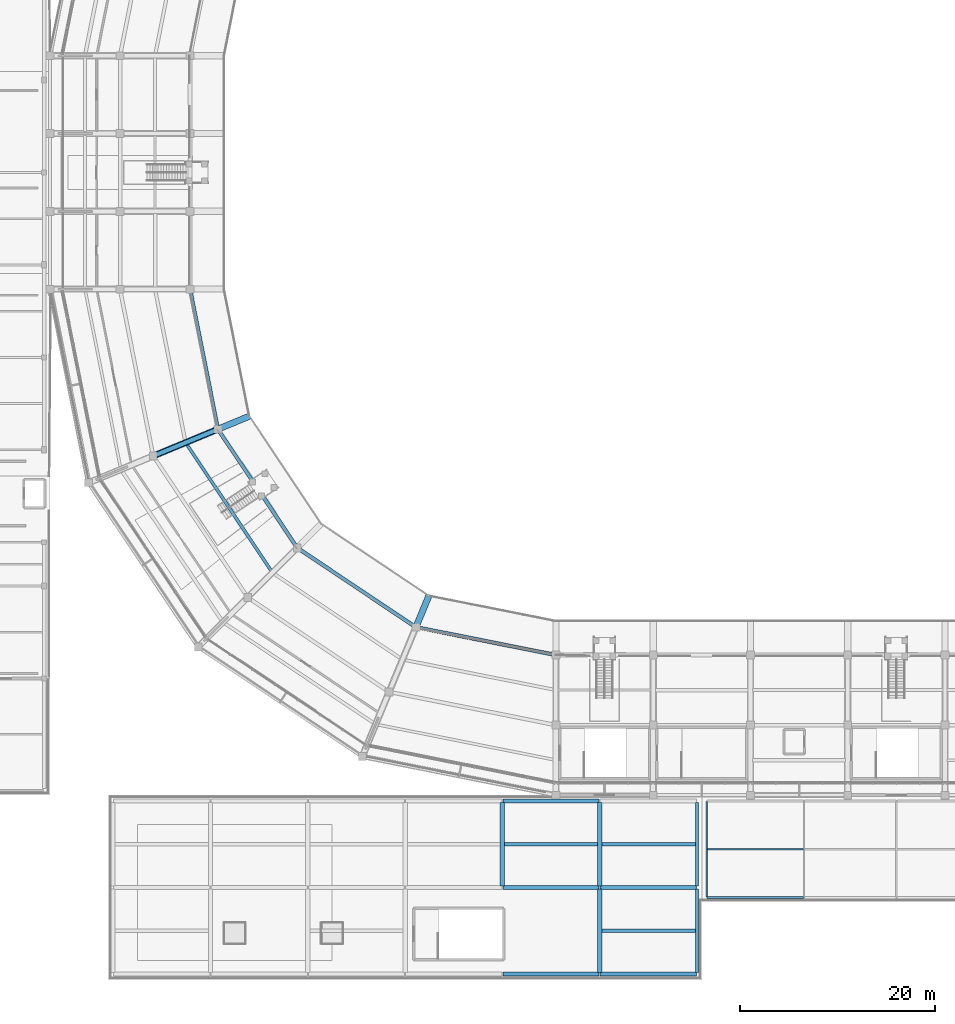
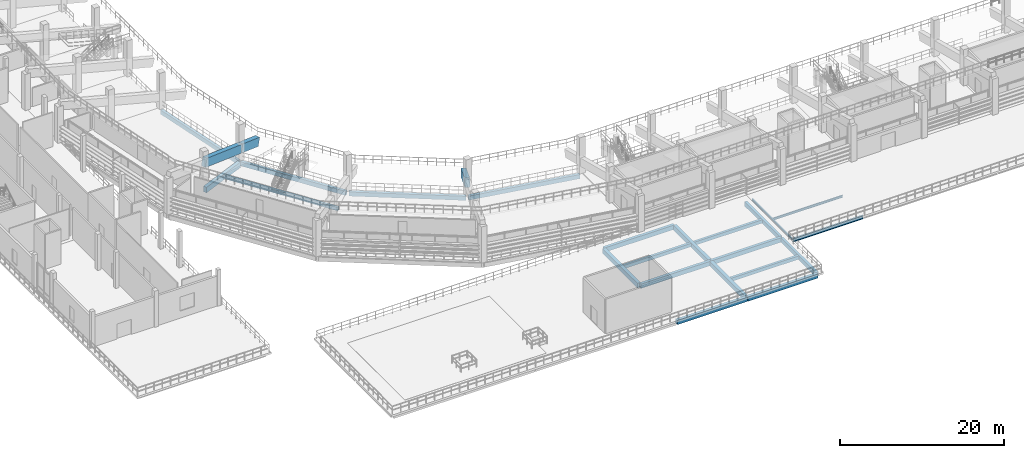
# One storey, part 12 of 96: 25 beams.
"""IFC4 building model written with IfcOpenShell, lengths in metres."""

from ifc_helpers import new_model, si_unit, direction, frame, origin, origin_2d, place, context, subcontext, project, spatial, rectangle, i_section, extrude, material, material_profile, profile_set, type_object, element, save


model = new_model("IFC4")

# Units and contexts
model_context = context("Model", 3, precision=1e-05, world=origin(), true_north=direction((0.0, 1.0)))
body_context = subcontext(model_context, "Body", "Model", "MODEL_VIEW")
ifc_project = project(units=[si_unit("LENGTHUNIT", "METRE"), si_unit("AREAUNIT", "SQUARE_METRE"), si_unit("VOLUMEUNIT", "CUBIC_METRE"), si_unit("PLANEANGLEUNIT", "RADIAN"), si_unit("MASSUNIT", "GRAM", prefix="KILO")], contexts=[model_context])

# Site, building, storey
site_placement = place(None, origin())
site = spatial("IfcSite", under=ifc_project, at=site_placement, CompositionType="ELEMENT")
building_placement = place(site_placement, origin())
building = spatial("IfcBuilding", under=site, at=building_placement, Name="Candeia Ridge Stadium", CompositionType="ELEMENT")
storey_placement = place(building_placement, frame((0.0, 0.0, 21.60009765625)))
storey = spatial("IfcBuildingStorey", under=building, at=storey_placement, Name="L04", CompositionType="ELEMENT", Elevation=21.60009765625)

# Beams
ifc_material_1 = material(Name="Steel ASTM A572 Grade 50", Category="steel")
ifc_material_profile_1 = material_profile(ifc_material_1, i_section(OverallWidth=0.14794921875, OverallDepth=0.26611328125, WebThickness=0.007568359375, FlangeThickness=0.012939453125, FilletRadius=0.010986328125, at=origin_2d()), Name="W250x44.8", Category="steel")
ifc_profile_set_1 = profile_set([ifc_material_profile_1], Name="Steel ASTM A572 Grade 50")
beam_type_1 = type_object("IfcBeamType", Name="Canopy Edge Spandrel W250x44.8", PredefinedType="SPANDREL", material=ifc_profile_set_1)
beam_1_placement = place(storey_placement, frame((86.5, 8.550048828125, -0.4130859375), z_axis=(0.0, 1.0, 0.0), x_axis=(-1.0, 0.0, 0.0)))
element("IfcBeam", 1, at=beam_1_placement, inside=storey, type_object=beam_type_1, Name="Structural girder BM-L04-2528", PredefinedType="SPANDREL", context=body_context, shape_type="SweptSolid", body=[
    extrude(i_section(OverallWidth=0.14794921875, OverallDepth=0.26611328125, WebThickness=0.007568359375, FlangeThickness=0.012939453125, FilletRadius=0.010986328125, at=origin_2d()), origin(), (0.0, 0.0, 1.0), 9.800048828125),
])
ifc_material_2 = material(Name="Concrete C40/50", Category="concrete")
ifc_material_profile_2 = material_profile(ifc_material_2, rectangle(XDim=0.320068359375, YDim=0.52001953125, at=origin_2d()), Name="RC320x520", Category="concrete")
ifc_profile_set_2 = profile_set([ifc_material_profile_2], Name="Concrete C40/50")
beam_type_2 = type_object("IfcBeamType", Name="Floor Joist RC320x520", PredefinedType="JOIST", material=ifc_profile_set_2)
beam_2_placement = place(storey_placement, frame((33.0595703125, 55.048828125, -0.52001953125), z_axis=(0.555568527312, -0.831470752017, 0.0), x_axis=(0.831470752017, 0.555568527312, 0.0)))
element("IfcBeam", 2, at=beam_2_placement, inside=storey, type_object=beam_type_2, Name="Concourse secondary joist BM-L04-0866", PredefinedType="JOIST", context=body_context, shape_type="SweptSolid", body=[
    extrude(rectangle(XDim=0.320068359375, YDim=0.52001953125, at=origin_2d()), origin(), (0.0, 0.0, 1.0), 15.63134765625),
])
ifc_material_profile_3 = material_profile(ifc_material_2, rectangle(XDim=0.35009765625, YDim=0.5, at=origin_2d()), Name="RC350x500", Category="concrete")
ifc_profile_set_3 = profile_set([ifc_material_profile_3], Name="Concrete C40/50")
beam_type_3 = type_object("IfcBeamType", Name="Floor Joist RC350x500", PredefinedType="JOIST", material=ifc_profile_set_3)
beam_3_placement = place(storey_placement, frame((65.724609375, 13.949951171875, -0.530029296875), z_axis=(1.0, 0.0, 0.0), x_axis=(0.0, 1.0, 0.0)))
element("IfcBeam", 3, at=beam_3_placement, inside=storey, type_object=beam_type_3, Name="Wing secondary joist BM-L04-2481", PredefinedType="JOIST", context=body_context, shape_type="SweptSolid", body=[
    extrude(rectangle(XDim=0.35009765625, YDim=0.5, at=origin_2d()), origin(), (0.0, 0.0, 1.0), 9.55078125),
])
for number, where, z_axis, x_axis, name in (
    (4, (75.724609375, 5.050048828125, -0.530029296875), (1.0, 0.0, 0.0), (0.0, 1.0, 0.0), "Wing secondary joist BM-L04-2484"),
    (5, (75.724609375, 13.949951171875, -0.530029296875), (1.0, 0.0, 0.0), (0.0, 1.0, 0.0), "Wing secondary joist BM-L04-2486"),
):
    element("IfcBeam", number, at=place(storey_placement, frame(where, z_axis=z_axis, x_axis=x_axis)), inside=storey, type_object=beam_type_3, Name=name, PredefinedType="JOIST", context=body_context, shape_type="SweptSolid", body=[
        extrude(rectangle(XDim=0.35009765625, YDim=0.5, at=origin_2d()), origin(), (0.0, 0.0, 1.0), 9.600830078125),
    ])
ifc_material_profile_4 = material_profile(ifc_material_2, rectangle(XDim=0.3798828125, YDim=0.6201171875, at=origin_2d()), Name="RC380x620", Category="concrete")
ifc_profile_set_4 = profile_set([ifc_material_profile_4], Name="Concrete C40/50")
beam_type_4 = type_object("IfcBeamType", Name="Frame Girder RC380x620", PredefinedType="BEAM", material=ifc_profile_set_4)
for number, where, z_axis, x_axis, name in (
    (6, (33.43115234375, 70.843017578125, -0.570068359375), (0.195098555341, -0.980783642657, 0.0), (0.980783642657, 0.195098555341, 0.0), "Bowl inner ring girder BM-L04-0858"),
    (7, (36.35107421875, 56.47802734375, -0.570068359375), (0.55557537569, -0.831466176057, 0.0), (0.831466176057, 0.55557537569, 0.0), "Bowl inner ring girder BM-L04-0863"),
    (8, (44.5458984375, 44.323974609375, -0.570068359375), (0.831466176057, -0.55557537569, 0.0), (0.55557537569, 0.831466176057, 0.0), "Bowl inner ring girder BM-L04-0868"),
    (9, (56.76806640625, 36.23095703125, -0.570068359375), (0.980783642657, -0.195098555341, 0.0), (0.195098555341, 0.980783642657, 0.0), "Bowl inner ring girder BM-L04-0873"),
):
    element("IfcBeam", number, at=place(storey_placement, frame(where, z_axis=z_axis, x_axis=x_axis)), inside=storey, type_object=beam_type_4, Name=name, PredefinedType="BEAM", context=body_context, shape_type="SweptSolid", body=[
        extrude(rectangle(XDim=0.3798828125, YDim=0.6201171875, at=origin_2d()), origin(), (0.0, 0.0, 1.0), 14.350830078125),
    ])
ifc_material_profile_5 = material_profile(ifc_material_2, rectangle(XDim=0.449951171875, YDim=0.699951171875, at=origin_2d()), Name="RC450x700", Category="concrete")
ifc_profile_set_5 = profile_set([ifc_material_profile_5], Name="Concrete C40/50")
beam_type_5 = type_object("IfcBeamType", Name="Frame Girder RC450x700", PredefinedType="BEAM", material=ifc_profile_set_5)
for number, where, z_axis, x_axis, name in (
    (10, (65.5, 9.659912109375, -0.630126953125), (0.0, 1.0, 0.0), (-1.0, 0.0, 0.0), "Structural girder BM-L04-2456"),
    (11, (75.5, 0.760009765625, -0.630126953125), (0.0, 1.0, 0.0), (-1.0, 0.0, 0.0), "Structural girder BM-L04-2457"),
    (12, (75.5, 9.659912109375, -0.630126953125), (0.0, 1.0, 0.0), (-1.0, 0.0, 0.0), "Structural girder BM-L04-2458"),
):
    element("IfcBeam", number, at=place(storey_placement, frame(where, z_axis=z_axis, x_axis=x_axis)), inside=storey, type_object=beam_type_5, Name=name, PredefinedType="BEAM", context=body_context, shape_type="SweptSolid", body=[
        extrude(rectangle(XDim=0.449951171875, YDim=0.699951171875, at=origin_2d()), origin(), (0.0, 0.0, 1.0), 8.580078125),
    ])
ifc_material_3 = material(Name="Concrete C45/55", Category="concrete")
ifc_material_profile_6 = material_profile(ifc_material_3, rectangle(XDim=0.47998046875, YDim=0.820068359375, at=origin_2d()), Name="RC480x820", Category="concrete")
ifc_profile_set_6 = profile_set([ifc_material_profile_6], Name="Concrete C45/55")
beam_type_6 = type_object("IfcBeamType", Name="Frame Girder RC480x820", PredefinedType="BEAM", material=ifc_profile_set_6)
beam_4_placement = place(storey_placement, frame((36.1142578125, 56.5498046875, -0.670166015625), z_axis=(-0.923880161031, -0.382681914982, 0.0), x_axis=(0.382681914982, -0.923880161031, 0.0)))
element("IfcBeam", 13, at=beam_4_placement, inside=storey, type_object=beam_type_6, Name="Bowl radial girder BM-L04-0751", PredefinedType="BEAM", context=body_context, shape_type="SweptSolid", body=[
    extrude(rectangle(XDim=0.47998046875, YDim=0.820068359375, at=origin_2d()), origin(), (0.0, 0.0, 1.0), 6.8798828125),
])
ifc_material_profile_7 = material_profile(ifc_material_1, i_section(OverallWidth=0.208984375, OverallDepth=0.532958984375, WebThickness=0.01025390625, FlangeThickness=0.015625, FilletRadius=0.013916015625, at=origin_2d()), Name="W530x92", Category="steel")
ifc_profile_set_7 = profile_set([ifc_material_profile_7], Name="Steel ASTM A572 Grade 50")
beam_type_7 = type_object("IfcBeamType", Name="Gate Portal Girder W530x92", PredefinedType="BEAM", material=ifc_profile_set_7)
beam_5_placement = place(storey_placement, frame((86.550048828125, 8.5, -0.546630859375), z_axis=(1.0, 0.0, 0.0), x_axis=(0.0, 1.0, 0.0)))
element("IfcBeam", 14, at=beam_5_placement, inside=storey, type_object=beam_type_7, Name="Structural girder BM-L04-2533", PredefinedType="BEAM", context=body_context, shape_type="SweptSolid", body=[
    extrude(i_section(OverallWidth=0.208984375, OverallDepth=0.532958984375, WebThickness=0.01025390625, FlangeThickness=0.015625, FilletRadius=0.013916015625, at=origin_2d()), origin(), (0.0, 0.0, 1.0), 9.89990234375),
])
ifc_material_profile_8 = material_profile(ifc_material_1, i_section(OverallWidth=0.1669921875, OverallDepth=0.31689453125, WebThickness=0.007568359375, FlangeThickness=0.01318359375, FilletRadius=0.011962890625, at=origin_2d()), Name="W310x52", Category="steel")
ifc_profile_set_8 = profile_set([ifc_material_profile_8], Name="Steel ASTM A572 Grade 50")
beam_type_8 = type_object("IfcBeamType", Name="Pavilion Secondary Joist W310x52", PredefinedType="JOIST", material=ifc_profile_set_8)
beam_6_placement = place(storey_placement, frame((86.573486328125, 13.449951171875, -0.4384765625), z_axis=(1.0, 0.0, 0.0), x_axis=(0.0, 1.0, 0.0)))
element("IfcBeam", 15, at=beam_6_placement, inside=storey, type_object=beam_type_8, Name="Wing secondary joist BM-L04-2534", PredefinedType="JOIST", context=body_context, shape_type="SweptSolid", body=[
    extrude(i_section(OverallWidth=0.1669921875, OverallDepth=0.31689453125, WebThickness=0.007568359375, FlangeThickness=0.01318359375, FilletRadius=0.011962890625, at=origin_2d()), origin(), (0.0, 0.0, 1.0), 9.85302734375),
])
ifc_material_profile_9 = material_profile(ifc_material_2, rectangle(XDim=0.35009765625, YDim=0.64990234375, at=origin_2d()), Name="RC350x650", Category="concrete")
ifc_profile_set_9 = profile_set([ifc_material_profile_9], Name="Concrete C40/50")
beam_type_9 = type_object("IfcBeamType", Name="Spandrel Beam RC350x650", PredefinedType="SPANDREL", material=ifc_profile_set_9)
for number, where, z_axis, x_axis, name in (
    (16, (85.5, 0.760009765625, -0.60498046875), (0.0, 1.0, 0.0), (-1.0, 0.0, 0.0), "Structural girder BM-L04-2459"),
    (17, (85.5, 9.659912109375, -0.60498046875), (0.0, 1.0, 0.0), (-1.0, 0.0, 0.0), "Structural girder BM-L04-2460"),
):
    element("IfcBeam", number, at=place(storey_placement, frame(where, z_axis=z_axis, x_axis=x_axis)), inside=storey, type_object=beam_type_9, Name=name, PredefinedType="SPANDREL", context=body_context, shape_type="SweptSolid", body=[
        extrude(rectangle(XDim=0.35009765625, YDim=0.64990234375, at=origin_2d()), origin(), (0.0, 0.0, 1.0), 8.580078125),
    ])
ifc_material_profile_10 = material_profile(ifc_material_3, rectangle(XDim=0.64990234375, YDim=1.25, at=origin_2d()), Name="RC650x1250", Category="concrete")
ifc_profile_set_10 = profile_set([ifc_material_profile_10], Name="Concrete C45/55")
beam_type_10 = type_object("IfcBeamType", Name="Stand Raker Beam RC650x1250", PredefinedType="USERDEFINED", material=ifc_profile_set_10)
beam_7_placement = place(storey_placement, frame((36.26220703125, 56.611083984375, 1.66796875), z_axis=(-0.894394775155, -0.370467920593, 0.250622237615), x_axis=(0.382681205745, -0.923880454805, 0.0)))
element("IfcBeam", 18, at=beam_7_placement, inside=storey, type_object=beam_type_10, Name="Stand T3 inner raker beam 16", ObjectType="RAKER", PredefinedType="USERDEFINED", context=body_context, shape_type="SweptSolid", body=[
    extrude(rectangle(XDim=0.64990234375, YDim=1.25, at=origin_2d()), origin(), (0.0, 0.0, 1.0), 7.4375),
])
for number, where, z_axis, x_axis, name in (
    (19, (39.4033203125, 57.912109375, 0.78759765625), (-0.894388315816, -0.37044888349, 0.250673423506), (0.382666779591, -0.92388643014, 0.0), "Stand T3 cantilever raker beam 16"),
    (20, (57.912109375, 39.4033203125, 0.78759765625), (-0.37044888349, -0.894388315816, 0.250673423506), (0.92388643014, -0.382666779591, 0.0), "Stand T3 cantilever raker beam 18"),
):
    element("IfcBeam", number, at=place(storey_placement, frame(where, z_axis=z_axis, x_axis=x_axis)), inside=storey, type_object=beam_type_10, Name=name, ObjectType="RAKER", PredefinedType="USERDEFINED", context=body_context, shape_type="SweptSolid", body=[
        extrude(rectangle(XDim=0.64990234375, YDim=1.25, at=origin_2d()), origin(), (0.0, 0.0, 1.0), 3.511962890625),
    ])
ifc_material_profile_11 = material_profile(ifc_material_2, rectangle(XDim=0.39990234375, YDim=0.64990234375, at=origin_2d()), Name="RC400x650", Category="concrete")
ifc_profile_set_11 = profile_set([ifc_material_profile_11], Name="Concrete C40/50")
beam_type_11 = type_object("IfcBeamType", Name="Wing Primary Girder RC400x650", PredefinedType="BEAM", material=ifc_profile_set_11)
for number, where, z_axis, x_axis, name in (
    (21, (65.550048828125, 0.60009765625, -0.60498046875), (1.0, 0.0, 0.0), (0.0, 1.0, 0.0), "Structural girder BM-L04-2479"),
    (22, (65.550048828125, 9.5, -0.60498046875), (1.0, 0.0, 0.0), (0.0, 1.0, 0.0), "Structural girder BM-L04-2480"),
    (23, (65.550048828125, 18.39990234375, -0.60498046875), (1.0, 0.0, 0.0), (0.0, 1.0, 0.0), "Structural girder BM-L04-2482"),
    (24, (75.550048828125, 0.60009765625, -0.60498046875), (1.0, 0.0, 0.0), (0.0, 1.0, 0.0), "Structural girder BM-L04-2483"),
    (25, (75.550048828125, 9.5, -0.60498046875), (1.0, 0.0, 0.0), (0.0, 1.0, 0.0), "Structural girder BM-L04-2485"),
):
    element("IfcBeam", number, at=place(storey_placement, frame(where, z_axis=z_axis, x_axis=x_axis)), inside=storey, type_object=beam_type_11, Name=name, PredefinedType="BEAM", context=body_context, shape_type="SweptSolid", body=[
        extrude(rectangle(XDim=0.39990234375, YDim=0.64990234375, at=origin_2d()), origin(), (0.0, 0.0, 1.0), 9.89990234375),
    ])

save(model, "model.ifc")
